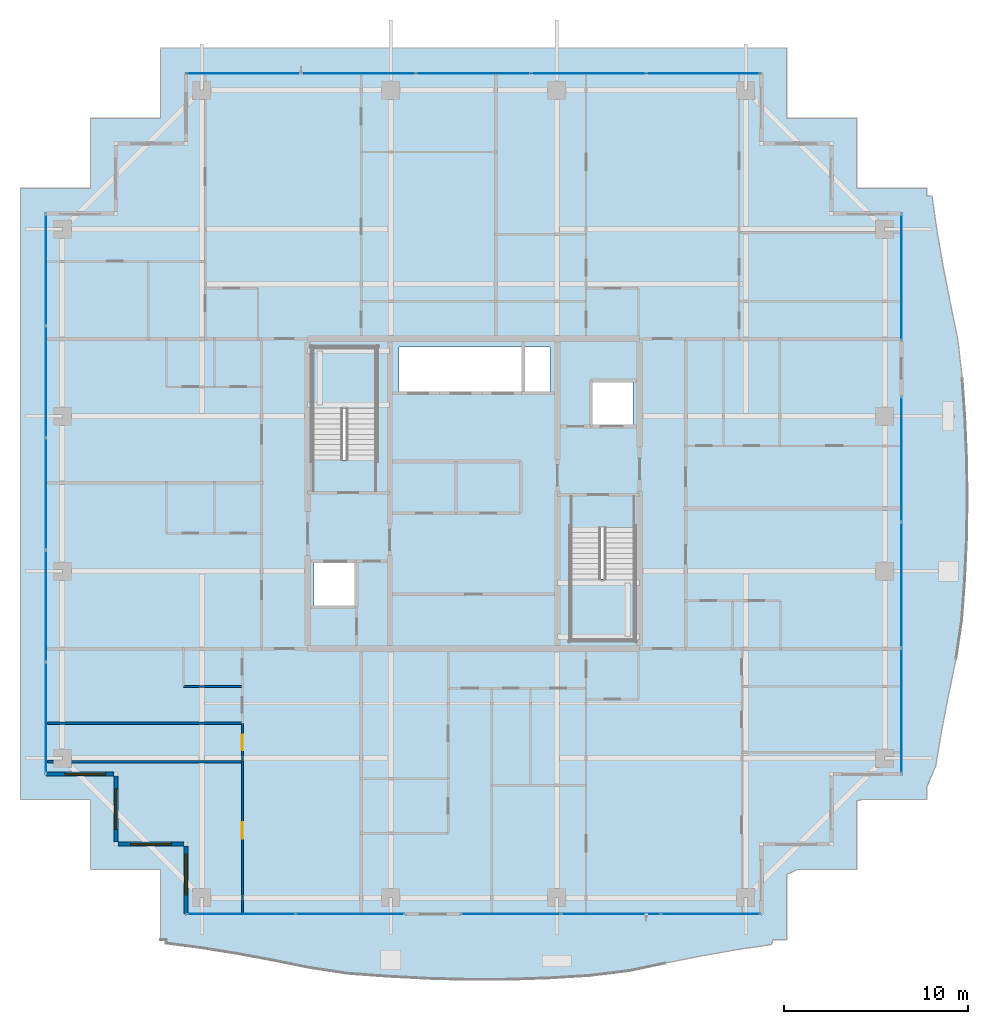
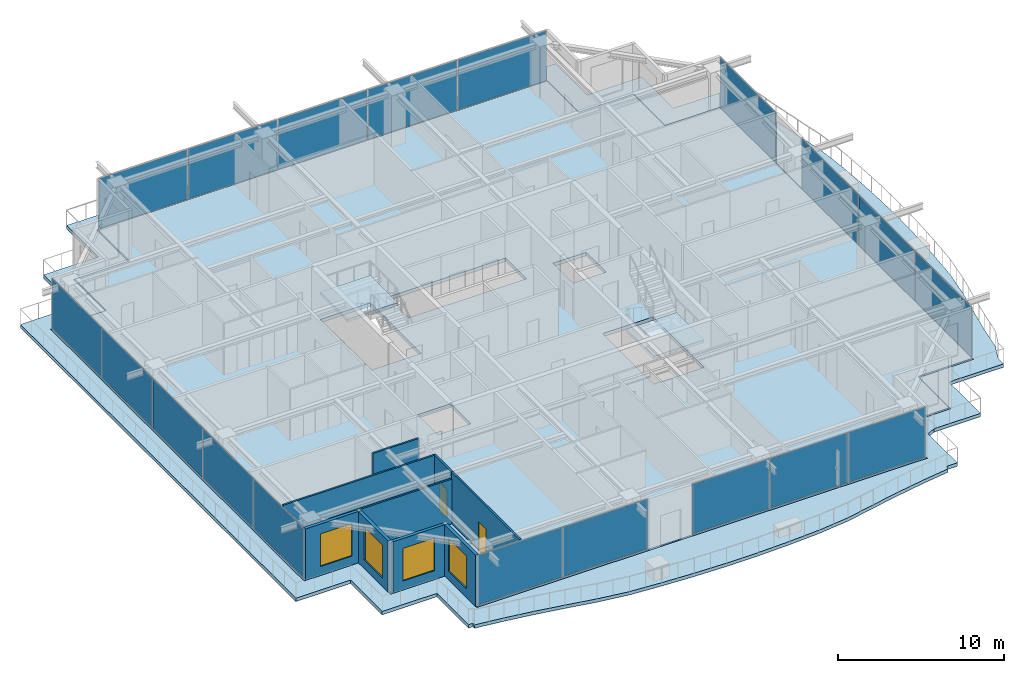
# One storey, part 30 of 42: 19 plates, 9 walls, 4 slabs, 4 windows, 2 doors, 6 openings, 8 elements without a shape of their own.
"""IFC4 building model written with IfcOpenShell, lengths in metres."""

from ifc_helpers import new_model, si_unit, direction, frame, frame_2d, origin, origin_2d, place, context, subcontext, project, spatial, polyline, rectangle, outline, extrude, source, transform, mapped, material, layer, layer_set, type_object, element, fill, aggregate, save


model = new_model("IFC4")

# Units and contexts
model_context = context("Model", 3, precision=1e-05, world=origin(), true_north=direction((0.0, 1.0)))
body_context = subcontext(model_context, "Body", "Model", "MODEL_VIEW")
ifc_project = project(units=[si_unit("LENGTHUNIT", "METRE"), si_unit("AREAUNIT", "SQUARE_METRE"), si_unit("VOLUMEUNIT", "CUBIC_METRE"), si_unit("PLANEANGLEUNIT", "RADIAN"), si_unit("MASSUNIT", "GRAM", prefix="KILO")], contexts=[model_context])

# Site, building, storey
site_placement = place(None, origin())
site = spatial("IfcSite", under=ifc_project, at=site_placement, CompositionType="ELEMENT")
building_placement = place(site_placement, origin())
building = spatial("IfcBuilding", under=site, at=building_placement, Name="Serunith Strait Residences", CompositionType="ELEMENT")
storey_placement = place(building_placement, frame((0.0, 0.0, 325.85009765625)))
storey = spatial("IfcBuildingStorey", under=building, at=storey_placement, Name="L81", CompositionType="ELEMENT", Elevation=325.85009765625)

# Slab
ifc_material_1 = material(Name="Concrete C50/60", Category="concrete")
ifc_layer_1 = layer(ifc_material_1, 0.239990234375, Name="Concrete C50/60")
ifc_layer_set_1 = layer_set([ifc_layer_1], Name="Concrete C50/60")
slab_type_1 = type_object("IfcSlabType", Name="SLB-BALC-240", PredefinedType="FLOOR", material=ifc_layer_set_1)
slab_1_placement = place(storey_placement, frame((0.0, 0.0, -0.2900390625)))
element("IfcSlab", 1, at=slab_1_placement, inside=storey, type_object=slab_type_1, Name="L81 Planted Vertical-Forest Balcony Slab", PredefinedType="FLOOR", context=body_context, shape_type="SweptSolid", body=[
    extrude(outline(polyline([(15.419921875, 1.02001953125), (15.419921875, 4.820068359375), (11.6201171875, 4.820068359375), (11.6201171875, 8.6201171875), (7.820068359375, 8.6201171875), (7.820068359375, 41.780029296875), (11.6201171875, 41.780029296875), (11.6201171875, 45.580078125), (15.407470703125, 45.580078125), (15.419921875, 45.584716796875), (15.419921875, 49.3798828125), (49.3798828125, 49.3798828125), (49.3798828125, 45.580078125), (53.179931640625, 45.580078125), (53.179931640625, 41.87939453125), (53.195068359375, 41.780029296875), (56.97998046875, 41.780029296875), (56.97998046875, 41.364990234375), (57.264892578125, 41.347900390625), (57.53662109375, 39.44775390625), (57.866455078125, 37.53076171875), (58.248046875, 35.580078125), (58.66064453125, 33.576416015625), (58.90234375, 31.4638671875), (59.051513671875, 29.29736328125), (59.147216796875, 27.102294921875), (59.177978515625, 24.89208984375), (59.138916015625, 22.68359375), (59.034423828125, 20.492919921875), (58.876708984375, 18.33349609375), (58.56591796875, 16.25244140625), (58.15380859375, 14.265625), (57.779541015625, 12.327880859375), (57.4609375, 10.419189453125), (56.97998046875, 9.30029296875), (56.97998046875, 8.6201171875), (53.46826171875, 8.6201171875), (53.179931640625, 8.547607421875), (53.179931640625, 4.820068359375), (49.952392578125, 4.820068359375), (49.3798828125, 4.548828125), (49.3798828125, 1.02001953125), (48.642333984375, 1.02001953125), (48.554931640625, 0.753173828125), (46.660400390625, 0.47509765625), (44.748779296875, 0.135986328125), (42.802001953125, -0.256103515625), (40.798828125, -0.677734375), (38.684326171875, -0.930419921875), (36.5087890625, -1.065185546875), (34.30615234375, -1.1396484375), (32.091796875, -1.146484375), (29.8828125, -1.087646484375), (27.693603515625, -0.971923828125), (25.53564453125, -0.8125), (23.45947265625, -0.49462890625), (21.472412109375, -0.09423828125), (19.532470703125, 0.26708984375), (17.620849609375, 0.573974609375), (15.721923828125, 0.82421875), (15.723388671875, 1.02001953125), (15.419921875, 1.02001953125)]), holes=[polyline([(48.054931640625, 2.344970703125), (48.054931640625, 6.14501953125), (51.85498046875, 6.14501953125), (51.85498046875, 9.945068359375), (55.655029296875, 9.945068359375), (55.655029296875, 40.455078125), (51.85498046875, 40.455078125), (51.85498046875, 44.2548828125), (48.054931640625, 44.2548828125), (48.054931640625, 48.054931640625), (16.7451171875, 48.054931640625), (16.7451171875, 44.2548828125), (12.945068359375, 44.2548828125), (12.945068359375, 40.455078125), (9.14501953125, 40.455078125), (9.14501953125, 9.945068359375), (12.945068359375, 9.945068359375), (12.945068359375, 6.14501953125), (16.7451171875, 6.14501953125), (16.7451171875, 2.344970703125), (48.054931640625, 2.344970703125)])]), origin(), (0.0, 0.0, 1.0), 0.239990234375),
])

# Stair, slab
stair_type_1 = type_object("IfcStairType", Name="STR-CORE-1", PredefinedType="HALF_TURN_STAIR", material=ifc_material_1)
stair_1_placement = place(storey_placement, origin())
stair_1 = element("IfcStair", 2, at=stair_1_placement, inside=storey, type_object=stair_type_1, Name="L81 Protected Escape Stair ST-1", PredefinedType="HALF_TURN_STAIR")
ifc_layer_2 = layer(ifc_material_1, 0.199951171875, Name="Concrete C50/60")
ifc_layer_set_2 = layer_set([ifc_layer_2], Name="Concrete C50/60")
slab_type_2 = type_object("IfcSlabType", Name="SLB-LAND-200", PredefinedType="LANDING", material=ifc_layer_set_2)
slab_2_placement = place(storey_placement, frame((0.0, 0.0, 1.824951171875)))
slab_2 = element("IfcSlab", 3, at=slab_2_placement, type_object=slab_type_2, Name="ST-1 landing 1", PredefinedType="LANDING", context=body_context, shape_type="SweptSolid", body=[
    extrude(outline(polyline([(27.14990234375, 29.830078125), (27.14990234375, 33.14990234375), (23.64990234375, 33.14990234375), (23.64990234375, 29.830078125), (27.14990234375, 29.830078125)])), origin(), (0.0, 0.0, 1.0), 0.199951171875),
])
aggregate(stair_1, [slab_2])

stair_type_2 = type_object("IfcStairType", Name="STR-CORE-2", PredefinedType="HALF_TURN_STAIR", material=ifc_material_1)
stair_2_placement = place(storey_placement, origin())
stair_2 = element("IfcStair", 4, at=stair_2_placement, inside=storey, type_object=stair_type_2, Name="L81 Protected Escape Stair ST-2", PredefinedType="HALF_TURN_STAIR")
slab_3_placement = place(storey_placement, frame((0.0, 0.0, 1.824951171875)))
slab_3 = element("IfcSlab", 5, at=slab_3_placement, type_object=slab_type_2, Name="ST-2 landing 1", PredefinedType="LANDING", context=body_context, shape_type="SweptSolid", body=[
    extrude(outline(polyline([(37.64990234375, 20.570068359375), (37.64990234375, 17.25), (41.14990234375, 17.25), (41.14990234375, 20.570068359375), (37.64990234375, 20.570068359375)])), origin(), (0.0, 0.0, 1.0), 0.199951171875),
])
aggregate(stair_2, [slab_3])

# Slab
ifc_material_2 = material(Name="Concrete C60/75", Category="concrete")
ifc_layer_3 = layer(ifc_material_2, 0.260009765625, Name="Concrete C60/75")
ifc_layer_set_3 = layer_set([ifc_layer_3], Name="Concrete C60/75")
slab_type_3 = type_object("IfcSlabType", Name="SLB-TWR-290-Z4", PredefinedType="FLOOR", material=ifc_layer_set_3)
slab_4_placement = place(storey_placement, frame((0.0, 0.0, -0.260009765625)))
element("IfcSlab", 6, at=slab_4_placement, inside=storey, type_object=slab_type_3, Name="L81 Structural Floor Plate", PredefinedType="FLOOR", context=body_context, shape_type="SweptSolid", body=[
    extrude(outline(polyline([(16.800048828125, 6.199951171875), (13.0, 6.199951171875), (13.0, 10.0), (9.199951171875, 10.0), (9.199951171875, 40.39990234375), (13.0, 40.39990234375), (13.0, 44.199951171875), (16.800048828125, 44.199951171875), (16.800048828125, 48.0), (48.0, 48.0), (48.0, 44.199951171875), (51.800048828125, 44.199951171875), (51.800048828125, 40.39990234375), (55.60009765625, 40.39990234375), (55.60009765625, 10.0), (51.800048828125, 10.0), (51.800048828125, 6.199951171875), (48.0, 6.199951171875), (48.0, 2.39990234375), (16.800048828125, 2.39990234375), (16.800048828125, 6.199951171875)]), holes=[polyline([(41.14990234375, 23.3701171875), (37.64990234375, 23.3701171875), (37.64990234375, 17.25), (41.14990234375, 17.25), (41.14990234375, 23.3701171875)]), polyline([(38.75, 31.25), (38.75, 28.85009765625), (41.050048828125, 28.85009765625), (41.050048828125, 31.25), (38.75, 31.25)]), polyline([(36.550048828125, 33.14990234375), (28.35009765625, 33.14990234375), (28.35009765625, 30.64990234375), (36.550048828125, 30.64990234375), (36.550048828125, 33.14990234375)]), polyline([(23.64990234375, 33.14990234375), (23.64990234375, 27.030029296875), (27.14990234375, 27.030029296875), (27.14990234375, 33.14990234375), (23.64990234375, 33.14990234375)]), polyline([(23.75, 21.550048828125), (23.75, 19.14990234375), (26.050048828125, 19.14990234375), (26.050048828125, 21.550048828125), (23.75, 21.550048828125)])]), origin(), (0.0, 0.0, 1.0), 0.260009765625),
])

# Curtain wall, plates
ifc_material_3 = material(Name="Brushed Stainless-Silver Aluminium", Category="aluminium")
ifc_layer_4 = layer(ifc_material_3, 0.199951171875, Name="Brushed Stainless-Silver Aluminium")
ifc_layer_set_4 = layer_set([ifc_layer_4], Name="Brushed Stainless-Silver Aluminium")
curtain_wall_type = type_object("IfcCurtainWallType", Name="CW-SYS5", PredefinedType="NOTDEFINED", material=ifc_layer_set_4)
curtain_wall_1_placement = place(storey_placement, origin())
curtain_wall_1 = element("IfcCurtainWall", 7, at=curtain_wall_1_placement, inside=storey, type_object=curtain_wall_type, Name="L81 N Unitised Fritted Curtain Wall", PredefinedType="NOTDEFINED")
ifc_material_4 = material(Name="Triple-Silver Low-E Operable Glazing 34mm", Category="glass")
ifc_layer_5 = layer(ifc_material_4, 0.033935546875, Name="Triple-Silver Low-E Operable Glazing 34mm")
ifc_layer_set_5 = layer_set([ifc_layer_5], Name="Triple-Silver Low-E Operable Glazing 34mm")
plate_type = type_object("IfcPlateType", Name="CW-SYS5-PNL", PredefinedType="CURTAIN_PANEL", material=ifc_layer_set_5)
shared_shape_1 = source(origin(), body_context, "Body", "SweptSolid", [
    extrude(rectangle(XDim=6.142578125, YDim=0.033935546875, at=origin_2d()), origin(), (0.0, 0.0, 1.0), 3.655029296875),
])
plate_1_placement = place(storey_placement, frame((44.86376953125, 48.0, 0.06005859375), z_axis=(0.0, 0.0, 1.0), x_axis=(-1.0, 0.0, 0.0)))
plate_1 = element("IfcPlate", 8, at=plate_1_placement, type_object=plate_type, Name="CW-5 panel 1.1", PredefinedType="CURTAIN_PANEL", context=body_context, shape_type="MappedRepresentation", body=[
    mapped(shared_shape_1, transform((0.0, 0.0, 0.0), scale=1.0)),
])
plate_2_placement = place(storey_placement, frame((19.936279296875, 48.0, 0.06005859375), z_axis=(0.0, 0.0, 1.0), x_axis=(-1.0, 0.0, 0.0)))
plate_2 = element("IfcPlate", 9, at=plate_2_placement, type_object=plate_type, Name="CW-5 panel 5.1", PredefinedType="CURTAIN_PANEL", context=body_context, shape_type="MappedRepresentation", body=[
    mapped(shared_shape_1, transform((0.0, 0.0, 0.0), scale=1.0)),
])
shared_shape_2 = source(origin(), body_context, "Body", "SweptSolid", [
    extrude(rectangle(XDim=6.175048828125, YDim=0.033935546875, at=origin_2d()), origin(), (0.0, 0.0, 1.0), 3.655029296875),
])
plate_3_placement = place(storey_placement, frame((38.639892578125, 48.0, 0.06005859375), z_axis=(0.0, 0.0, 1.0), x_axis=(-1.0, 0.0, 0.0)))
plate_3 = element("IfcPlate", 10, at=plate_3_placement, type_object=plate_type, Name="CW-5 panel 2.1", PredefinedType="CURTAIN_PANEL", context=body_context, shape_type="MappedRepresentation", body=[
    mapped(shared_shape_2, transform((0.0, 0.0, 0.0), scale=1.0)),
])
plate_4_placement = place(storey_placement, frame((32.39990234375, 48.0, 0.06005859375), z_axis=(0.0, 0.0, 1.0), x_axis=(-1.0, 0.0, 0.0)))
plate_4 = element("IfcPlate", 11, at=plate_4_placement, type_object=plate_type, Name="CW-5 panel 3.1", PredefinedType="CURTAIN_PANEL", context=body_context, shape_type="MappedRepresentation", body=[
    mapped(shared_shape_2, transform((0.0, 0.0, 0.0), scale=1.0)),
])
plate_5_placement = place(storey_placement, frame((26.159912109375, 48.0, 0.06005859375), z_axis=(0.0, 0.0, 1.0), x_axis=(-1.0, 0.0, 0.0)))
plate_5 = element("IfcPlate", 12, at=plate_5_placement, type_object=plate_type, Name="CW-5 panel 4.1", PredefinedType="CURTAIN_PANEL", context=body_context, shape_type="MappedRepresentation", body=[
    mapped(shared_shape_2, transform((0.0, 0.0, 0.0), scale=1.0)),
])
aggregate(curtain_wall_1, [plate_1, plate_3, plate_4, plate_5, plate_2])

curtain_wall_2_placement = place(storey_placement, origin())
curtain_wall_2 = element("IfcCurtainWall", 13, at=curtain_wall_2_placement, inside=storey, type_object=curtain_wall_type, Name="L81 W Unitised Fritted Curtain Wall", PredefinedType="NOTDEFINED")
shared_shape_3 = source(origin(), body_context, "Body", "SweptSolid", [
    extrude(rectangle(XDim=5.982421875, YDim=0.033935546875, at=origin_2d()), origin(), (0.0, 0.0, 1.0), 3.655029296875),
])
plate_6_placement = place(storey_placement, frame((9.199951171875, 37.34375, 0.06005859375), z_axis=(0.0, 0.0, 1.0), x_axis=(0.0, -1.0, 0.0)))
plate_6 = element("IfcPlate", 14, at=plate_6_placement, type_object=plate_type, Name="CW-5 panel 1.1", PredefinedType="CURTAIN_PANEL", context=body_context, shape_type="MappedRepresentation", body=[
    mapped(shared_shape_3, transform((0.0, 0.0, 0.0), scale=1.0)),
])
plate_7_placement = place(storey_placement, frame((9.199951171875, 13.05615234375, 0.06005859375), z_axis=(0.0, 0.0, 1.0), x_axis=(0.0, -1.0, 0.0)))
plate_7 = element("IfcPlate", 15, at=plate_7_placement, type_object=plate_type, Name="CW-5 panel 5.1", PredefinedType="CURTAIN_PANEL", context=body_context, shape_type="MappedRepresentation", body=[
    mapped(shared_shape_3, transform((0.0, 0.0, 0.0), scale=1.0)),
])
shared_shape_4 = source(origin(), body_context, "Body", "SweptSolid", [
    extrude(rectangle(XDim=6.014892578125, YDim=0.033935546875, at=origin_2d()), origin(), (0.0, 0.0, 1.0), 3.655029296875),
])
plate_8_placement = place(storey_placement, frame((9.199951171875, 31.280029296875, 0.06005859375), z_axis=(0.0, 0.0, 1.0), x_axis=(0.0, -1.0, 0.0)))
plate_8 = element("IfcPlate", 16, at=plate_8_placement, type_object=plate_type, Name="CW-5 panel 2.1", PredefinedType="CURTAIN_PANEL", context=body_context, shape_type="MappedRepresentation", body=[
    mapped(shared_shape_4, transform((0.0, 0.0, 0.0), scale=1.0)),
])
plate_9_placement = place(storey_placement, frame((9.199951171875, 25.199951171875, 0.06005859375), z_axis=(0.0, 0.0, 1.0), x_axis=(0.0, -1.0, 0.0)))
plate_9 = element("IfcPlate", 17, at=plate_9_placement, type_object=plate_type, Name="CW-5 panel 3.1", PredefinedType="CURTAIN_PANEL", context=body_context, shape_type="MappedRepresentation", body=[
    mapped(shared_shape_4, transform((0.0, 0.0, 0.0), scale=1.0)),
])
plate_10_placement = place(storey_placement, frame((9.199951171875, 19.1201171875, 0.06005859375), z_axis=(0.0, 0.0, 1.0), x_axis=(0.0, -1.0, 0.0)))
plate_10 = element("IfcPlate", 18, at=plate_10_placement, type_object=plate_type, Name="CW-5 panel 4.1", PredefinedType="CURTAIN_PANEL", context=body_context, shape_type="MappedRepresentation", body=[
    mapped(shared_shape_4, transform((0.0, 0.0, 0.0), scale=1.0)),
])
aggregate(curtain_wall_2, [plate_6, plate_8, plate_9, plate_10, plate_7])

curtain_wall_3_placement = place(storey_placement, origin())
curtain_wall_3 = element("IfcCurtainWall", 19, at=curtain_wall_3_placement, inside=storey, type_object=curtain_wall_type, Name="L81 S Unitised Fritted Curtain Wall", PredefinedType="NOTDEFINED")
shared_shape_5 = source(origin(), body_context, "Body", "SweptSolid", [
    extrude(rectangle(XDim=5.8525390625, YDim=0.033935546875, at=origin_2d()), origin(), (0.0, 0.0, 1.0), 3.655029296875),
])
plate_11_placement = place(storey_placement, frame((19.791259765625, 2.39990234375, 0.06005859375), z_axis=(0.0, 0.0, 1.0), x_axis=(1.0, 0.0, 0.0)))
plate_11 = element("IfcPlate", 20, at=plate_11_placement, type_object=plate_type, Name="CW-5 panel 1.1", PredefinedType="CURTAIN_PANEL", context=body_context, shape_type="MappedRepresentation", body=[
    mapped(shared_shape_5, transform((0.0, 0.0, 0.0), scale=1.0)),
])
plate_12_placement = place(storey_placement, frame((25.708740234375, 2.39990234375, 0.06005859375), z_axis=(0.0, 0.0, 1.0), x_axis=(1.0, 0.0, 0.0)))
plate_12 = element("IfcPlate", 21, at=plate_12_placement, type_object=plate_type, Name="CW-5 panel 2.1", PredefinedType="CURTAIN_PANEL", context=body_context, shape_type="MappedRepresentation", body=[
    mapped(shared_shape_5, transform((0.0, 0.0, 0.0), scale=1.0)),
])
aggregate(curtain_wall_3, [plate_11, plate_12])

curtain_wall_4_placement = place(storey_placement, origin())
curtain_wall_4 = element("IfcCurtainWall", 22, at=curtain_wall_4_placement, inside=storey, type_object=curtain_wall_type, Name="L81 S Unitised Fritted Curtain Wall", PredefinedType="NOTDEFINED")
shared_shape_6 = source(origin(), body_context, "Body", "SweptSolid", [
    extrude(rectangle(XDim=5.3359375, YDim=0.033935546875, at=origin_2d()), origin(), (0.0, 0.0, 1.0), 3.655029296875),
])
plate_13_placement = place(storey_placement, frame((34.432861328125, 2.39990234375, 0.06005859375), z_axis=(0.0, 0.0, 1.0), x_axis=(1.0, 0.0, 0.0)))
plate_13 = element("IfcPlate", 23, at=plate_13_placement, type_object=plate_type, Name="CW-5 panel 1.1", PredefinedType="CURTAIN_PANEL", context=body_context, shape_type="MappedRepresentation", body=[
    mapped(shared_shape_6, transform((0.0, 0.0, 0.0), scale=1.0)),
])
plate_14_placement = place(storey_placement, frame((45.26708984375, 2.39990234375, 0.06005859375), z_axis=(0.0, 0.0, 1.0), x_axis=(1.0, 0.0, 0.0)))
plate_14 = element("IfcPlate", 24, at=plate_14_placement, type_object=plate_type, Name="CW-5 panel 3.1", PredefinedType="CURTAIN_PANEL", context=body_context, shape_type="MappedRepresentation", body=[
    mapped(shared_shape_6, transform((0.0, 0.0, 0.0), scale=1.0)),
])
shared_shape_7 = source(origin(), body_context, "Body", "SweptSolid", [
    extrude(rectangle(XDim=5.368408203125, YDim=0.033935546875, at=origin_2d()), origin(), (0.0, 0.0, 1.0), 3.655029296875),
])
plate_15_placement = place(storey_placement, frame((39.85009765625, 2.39990234375, 0.06005859375), z_axis=(0.0, 0.0, 1.0), x_axis=(1.0, 0.0, 0.0)))
plate_15 = element("IfcPlate", 25, at=plate_15_placement, type_object=plate_type, Name="CW-5 panel 2.1", PredefinedType="CURTAIN_PANEL", context=body_context, shape_type="MappedRepresentation", body=[
    mapped(shared_shape_7, transform((0.0, 0.0, 0.0), scale=1.0)),
])
aggregate(curtain_wall_4, [plate_13, plate_15, plate_14])

curtain_wall_5_placement = place(storey_placement, origin())
curtain_wall_5 = element("IfcCurtainWall", 26, at=curtain_wall_5_placement, inside=storey, type_object=curtain_wall_type, Name="L81 E Unitised Fritted Curtain Wall", PredefinedType="NOTDEFINED")
shared_shape_8 = source(origin(), body_context, "Body", "SweptSolid", [
    extrude(rectangle(XDim=6.73583984375, YDim=0.033935546875, at=origin_2d()), origin(), (0.0, 0.0, 1.0), 3.655029296875),
])
plate_16_placement = place(storey_placement, frame((55.60009765625, 13.432861328125, 0.06005859375), z_axis=(0.0, 0.0, 1.0), x_axis=(0.0, 1.0, 0.0)))
plate_16 = element("IfcPlate", 27, at=plate_16_placement, type_object=plate_type, Name="CW-5 panel 1.1", PredefinedType="CURTAIN_PANEL", context=body_context, shape_type="MappedRepresentation", body=[
    mapped(shared_shape_8, transform((0.0, 0.0, 0.0), scale=1.0)),
])
plate_17_placement = place(storey_placement, frame((55.60009765625, 27.067138671875, 0.06005859375), z_axis=(0.0, 0.0, 1.0), x_axis=(0.0, 1.0, 0.0)))
plate_17 = element("IfcPlate", 28, at=plate_17_placement, type_object=plate_type, Name="CW-5 panel 3.1", PredefinedType="CURTAIN_PANEL", context=body_context, shape_type="MappedRepresentation", body=[
    mapped(shared_shape_8, transform((0.0, 0.0, 0.0), scale=1.0)),
])
shared_shape_9 = source(origin(), body_context, "Body", "SweptSolid", [
    extrude(rectangle(XDim=6.768310546875, YDim=0.033935546875, at=origin_2d()), origin(), (0.0, 0.0, 1.0), 3.655029296875),
])
plate_18_placement = place(storey_placement, frame((55.60009765625, 20.25, 0.06005859375), z_axis=(0.0, 0.0, 1.0), x_axis=(0.0, 1.0, 0.0)))
plate_18 = element("IfcPlate", 29, at=plate_18_placement, type_object=plate_type, Name="CW-5 panel 2.1", PredefinedType="CURTAIN_PANEL", context=body_context, shape_type="MappedRepresentation", body=[
    mapped(shared_shape_9, transform((0.0, 0.0, 0.0), scale=1.0)),
])
aggregate(curtain_wall_5, [plate_16, plate_18, plate_17])

# Curtain wall, plate
curtain_wall_6_placement = place(storey_placement, origin())
curtain_wall_6 = element("IfcCurtainWall", 30, at=curtain_wall_6_placement, inside=storey, type_object=curtain_wall_type, Name="L81 E Unitised Fritted Curtain Wall", PredefinedType="NOTDEFINED")
shared_shape_10 = source(origin(), body_context, "Body", "SweptSolid", [
    extrude(rectangle(XDim=6.77001953125, YDim=0.033935546875, at=origin_2d()), origin(), (0.0, 0.0, 1.0), 3.655029296875),
])
plate_19_placement = place(storey_placement, frame((55.60009765625, 36.949951171875, 0.06005859375), z_axis=(0.0, 0.0, 1.0), x_axis=(0.0, 1.0, 0.0)))
plate_19 = element("IfcPlate", 31, at=plate_19_placement, type_object=plate_type, Name="CW-5 panel 1.1", PredefinedType="CURTAIN_PANEL", context=body_context, shape_type="MappedRepresentation", body=[
    mapped(shared_shape_10, transform((0.0, 0.0, 0.0), scale=1.0)),
])
aggregate(curtain_wall_6, [plate_19])

# Wall, opening, window
ifc_material_5 = material(Name="Pale-Champagne Aluminium Insulated Panel", Category="aluminium")
ifc_layer_6 = layer(ifc_material_5, 0.219970703125, Name="Pale-Champagne Aluminium Insulated Panel")
ifc_layer_set_6 = layer_set([ifc_layer_6], Name="Pale-Champagne Aluminium Insulated Panel")
wall_type_1 = type_object("IfcWallType", Name="EW-ALUM-220", PredefinedType="ELEMENTEDWALL", material=ifc_layer_set_6)
wall_1_placement = place(storey_placement, frame((9.199951171875, 10.0, 0.0), z_axis=(0.0, 0.0, 1.0), x_axis=(1.0, 0.0, 0.0)))
wall_1 = element("IfcWall", 32, at=wall_1_placement, inside=storey, type_object=wall_type_1, Name="L81 Girih Serrated Corner Wall 17", PredefinedType="ELEMENTEDWALL", context=body_context, shape_type="SweptSolid", body=[
    extrude(rectangle(XDim=3.68994140625, YDim=0.219970703125, at=frame_2d((1.844970703125, 0.0))), origin(), (0.0, 0.0, 1.0), 3.77490234375),
])
opening_1_placement = place(wall_1_placement, frame((1.04296875, 0.0, 0.64990234375)))
opening_1 = element("IfcOpeningElement", 33, at=opening_1_placement, cuts=wall_1, Name="Opening W-06", PredefinedType="OPENING", context=body_context, shape_type="SweptSolid", body=[
    extrude(rectangle(XDim=2.199951171875, YDim=2.39990234375, at=frame_2d((1.10009765625, 1.199951171875))), frame((0.0, 0.1201171875, 0.0), z_axis=(0.0, -1.0, 0.0), x_axis=(1.0, 0.0, 0.0)), (0.0, 0.0, 1.0), 0.239990234375),
])
ifc_material_6 = material(Name="Crown Penthouse Low-E Operable Window Glass", Category="glass")
window_type = type_object("IfcWindowType", Name="WIN-C6", PartitioningType="TRIPLE_PANEL_VERTICAL", PredefinedType="WINDOW", material=ifc_material_6)
shared_shape_11 = source(origin(), body_context, "Body", "SweptSolid", [
    extrude(rectangle(XDim=2.199951171875, YDim=2.39990234375, at=frame_2d((1.10009765625, 1.199951171875))), frame((0.0, 0.030029296875, 0.0), z_axis=(0.0, -1.0, 0.0), x_axis=(1.0, 0.0, 0.0)), (0.0, 0.0, 1.0), 0.06005859375),
])
window_1_placement = place(opening_1_placement, origin())
window_1 = element("IfcWindow", 34, at=window_1_placement, inside=storey, type_object=window_type, Name="L81 Corner Operable Fritted Window 17", OverallHeight=2.39990234375, OverallWidth=2.199951171875, PartitioningType="SINGLE_PANEL", PredefinedType="WINDOW", context=body_context, shape_type="MappedRepresentation", body=[
    mapped(shared_shape_11, transform((0.0, 0.0, 0.0), scale=1.0)),
])
fill(opening_1, window_1)

wall_2_placement = place(storey_placement, frame((13.0, 9.889892578125, 0.0), z_axis=(0.0, 0.0, 1.0), x_axis=(0.0, -1.0, 0.0)))
wall_2 = element("IfcWall", 35, at=wall_2_placement, inside=storey, type_object=wall_type_1, Name="L81 Girih Serrated Corner Wall 18", PredefinedType="ELEMENTEDWALL", context=body_context, shape_type="SweptSolid", body=[
    extrude(rectangle(XDim=3.579833984375, YDim=0.219970703125, at=frame_2d((1.7900390625, 0.0))), origin(), (0.0, 0.0, 1.0), 3.77490234375),
])
opening_2_placement = place(wall_2_placement, frame((0.68994140625, 0.0, 0.64990234375)))
opening_2 = element("IfcOpeningElement", 36, at=opening_2_placement, cuts=wall_2, Name="Opening W-06", PredefinedType="OPENING", context=body_context, shape_type="SweptSolid", body=[
    extrude(rectangle(XDim=2.199951171875, YDim=2.39990234375, at=frame_2d((1.10009765625, 1.199951171875))), frame((0.0, 0.1201171875, 0.0), z_axis=(0.0, -1.0, 0.0), x_axis=(1.0, 0.0, 0.0)), (0.0, 0.0, 1.0), 0.239990234375),
])
window_2_placement = place(opening_2_placement, origin())
window_2 = element("IfcWindow", 37, at=window_2_placement, inside=storey, type_object=window_type, Name="L81 Corner Operable Fritted Window 18", OverallHeight=2.39990234375, OverallWidth=2.199951171875, PartitioningType="SINGLE_PANEL", PredefinedType="WINDOW", context=body_context, shape_type="MappedRepresentation", body=[
    mapped(shared_shape_11, transform((0.0, 0.0, 0.0), scale=1.0)),
])
fill(opening_2, window_2)

wall_3_placement = place(storey_placement, frame((13.110107421875, 6.199951171875, 0.0), z_axis=(0.0, 0.0, 1.0), x_axis=(1.0, 0.0, 0.0)))
wall_3 = element("IfcWall", 38, at=wall_3_placement, inside=storey, type_object=wall_type_1, Name="L81 Girih Serrated Corner Wall 19", PredefinedType="ELEMENTEDWALL", context=body_context, shape_type="SweptSolid", body=[
    extrude(rectangle(XDim=3.579833984375, YDim=0.219970703125, at=frame_2d((1.7900390625, 0.0))), origin(), (0.0, 0.0, 1.0), 3.77490234375),
])
opening_3_placement = place(wall_3_placement, frame((0.68994140625, 0.0, 0.64990234375)))
opening_3 = element("IfcOpeningElement", 39, at=opening_3_placement, cuts=wall_3, Name="Opening W-06", PredefinedType="OPENING", context=body_context, shape_type="SweptSolid", body=[
    extrude(rectangle(XDim=2.199951171875, YDim=2.39990234375, at=frame_2d((1.10009765625, 1.199951171875))), frame((0.0, 0.1201171875, 0.0), z_axis=(0.0, -1.0, 0.0), x_axis=(1.0, 0.0, 0.0)), (0.0, 0.0, 1.0), 0.239990234375),
])
window_3_placement = place(opening_3_placement, origin())
window_3 = element("IfcWindow", 40, at=window_3_placement, inside=storey, type_object=window_type, Name="L81 Corner Operable Fritted Window 19", OverallHeight=2.39990234375, OverallWidth=2.199951171875, PartitioningType="SINGLE_PANEL", PredefinedType="WINDOW", context=body_context, shape_type="MappedRepresentation", body=[
    mapped(shared_shape_11, transform((0.0, 0.0, 0.0), scale=1.0)),
])
fill(opening_3, window_3)

wall_4_placement = place(storey_placement, frame((16.800048828125, 6.090087890625, 0.0), z_axis=(0.0, 0.0, 1.0), x_axis=(0.0, -1.0, 0.0)))
wall_4 = element("IfcWall", 41, at=wall_4_placement, inside=storey, type_object=wall_type_1, Name="L81 Girih Serrated Corner Wall 20", PredefinedType="ELEMENTEDWALL", context=body_context, shape_type="SweptSolid", body=[
    extrude(rectangle(XDim=3.690185546875, YDim=0.219970703125, at=frame_2d((1.84521484375, 0.0))), origin(), (0.0, 0.0, 1.0), 3.77490234375),
])
opening_4_placement = place(wall_4_placement, frame((0.447021484375, 0.0, 0.64990234375)))
opening_4 = element("IfcOpeningElement", 42, at=opening_4_placement, cuts=wall_4, Name="Opening W-06", PredefinedType="OPENING", context=body_context, shape_type="SweptSolid", body=[
    extrude(rectangle(XDim=2.199951171875, YDim=2.39990234375, at=frame_2d((1.10009765625, 1.199951171875))), frame((0.0, 0.1201171875, 0.0), z_axis=(0.0, -1.0, 0.0), x_axis=(1.0, 0.0, 0.0)), (0.0, 0.0, 1.0), 0.239990234375),
])
window_4_placement = place(opening_4_placement, origin())
window_4 = element("IfcWindow", 43, at=window_4_placement, inside=storey, type_object=window_type, Name="L81 Corner Operable Fritted Window 20", OverallHeight=2.39990234375, OverallWidth=2.199951171875, PartitioningType="SINGLE_PANEL", PredefinedType="WINDOW", context=body_context, shape_type="MappedRepresentation", body=[
    mapped(shared_shape_11, transform((0.0, 0.0, 0.0), scale=1.0)),
])
fill(opening_4, window_4)

# Wall, opening, door
ifc_material_7 = material(Name="Lightweight steel-stud gypsum partition", Category="steel")
ifc_layer_7 = layer(ifc_material_7, 0.1201171875, Name="Lightweight steel-stud gypsum partition")
ifc_layer_set_7 = layer_set([ifc_layer_7], Name="Lightweight steel-stud gypsum partition")
wall_type_2 = type_object("IfcWallType", Name="IW-PART-120", PredefinedType="PARTITIONING", material=ifc_layer_set_7)
wall_5_placement = place(storey_placement, frame((19.860107421875, 2.4951171875, 0.0), z_axis=(0.0, 0.0, 1.0), x_axis=(0.0, 1.0, 0.0)))
wall_5 = element("IfcWall", 44, at=wall_5_placement, inside=storey, type_object=wall_type_2, Name="L81 Partition Wall 032", PredefinedType="PARTITIONING", context=body_context, shape_type="SweptSolid", body=[
    extrude(rectangle(XDim=8.177001953125, YDim=0.1201171875, at=frame_2d((4.08837890625, 0.0))), origin(), (0.0, 0.0, 1.0), 3.789794921875),
])
opening_5_placement = place(wall_5_placement, frame((4.001953125, 0.0, 0.0)))
opening_5 = element("IfcOpeningElement", 45, at=opening_5_placement, cuts=wall_5, Name="Opening D-RM900", PredefinedType="OPENING", context=body_context, shape_type="SweptSolid", body=[
    extrude(rectangle(XDim=0.89990234375, YDim=2.10009765625, at=frame_2d((0.449951171875, 1.050048828125))), frame((0.0, 0.070068359375, 0.0), z_axis=(0.0, -1.0, 0.0), x_axis=(1.0, 0.0, 0.0)), (0.0, 0.0, 1.0), 0.14013671875),
])
ifc_material_8 = material(Name="Engineered timber flush bedroom door", Category="wood")
door_type_1 = type_object("IfcDoorType", Name="ID-ROOM-900", OperationType="NOTDEFINED", PredefinedType="DOOR", material=ifc_material_8)
shared_shape_12 = source(origin(), body_context, "Body", "SweptSolid", [
    extrude(rectangle(XDim=0.89990234375, YDim=2.10009765625, at=frame_2d((0.449951171875, 1.050048828125))), frame((0.0, 0.02490234375, 0.0), z_axis=(0.0, -1.0, 0.0), x_axis=(1.0, 0.0, 0.0)), (0.0, 0.0, 1.0), 0.050048828125),
])
door_1_placement = place(opening_5_placement, origin())
door_1 = element("IfcDoor", 46, at=door_1_placement, inside=storey, type_object=door_type_1, Name="L81 Master Bedroom 1 8101 Door", OperationType="SINGLE_SWING_LEFT", OverallHeight=2.10009765625, OverallWidth=0.89990234375, PredefinedType="DOOR", context=body_context, shape_type="MappedRepresentation", body=[
    mapped(shared_shape_12, transform((0.0, 0.0, 0.0), scale=1.0)),
])
fill(opening_5, door_1)

# Walls
wall_6_placement = place(storey_placement, frame((9.294921875, 10.672119140625, 0.0), z_axis=(0.0, 0.0, 1.0), x_axis=(1.0, 0.0, 0.0)))
element("IfcWall", 47, at=wall_6_placement, inside=storey, type_object=wall_type_2, Name="L81 Partition Wall 033", PredefinedType="PARTITIONING", context=body_context, shape_type="SweptSolid", body=[
    extrude(rectangle(XDim=10.565185546875, YDim=0.1201171875, at=frame_2d((5.28271484375, 0.0))), origin(), (0.0, 0.0, 1.0), 3.2919921875),
])
wall_7_placement = place(storey_placement, frame((9.294921875, 12.75, 0.0), z_axis=(0.0, 0.0, 1.0), x_axis=(1.0, 0.0, 0.0)))
element("IfcWall", 48, at=wall_7_placement, inside=storey, type_object=wall_type_2, Name="L81 Partition Wall 034", PredefinedType="PARTITIONING", context=body_context, shape_type="SweptSolid", body=[
    extrude(rectangle(XDim=10.565185546875, YDim=0.1201171875, at=frame_2d((5.28271484375, 0.0))), origin(), (0.0, 0.0, 1.0), 3.789794921875),
])
wall_8_placement = place(storey_placement, frame((16.659912109375, 14.75, 0.0), z_axis=(0.0, 0.0, 1.0), x_axis=(1.0, 0.0, 0.0)))
element("IfcWall", 49, at=wall_8_placement, inside=storey, type_object=wall_type_2, Name="L81 Partition Wall 035", PredefinedType="PARTITIONING", context=body_context, shape_type="SweptSolid", body=[
    extrude(rectangle(XDim=3.2001953125, YDim=0.1201171875, at=frame_2d((1.60009765625, 0.0))), origin(), (0.0, 0.0, 1.0), 3.789794921875),
])

# Wall, opening, door
wall_9_placement = place(storey_placement, frame((19.860107421875, 10.674072265625, 0.0), z_axis=(0.0, 0.0, 1.0), x_axis=(0.0, 1.0, 0.0)))
wall_9 = element("IfcWall", 50, at=wall_9_placement, inside=storey, type_object=wall_type_2, Name="L81 Partition Wall 037", PredefinedType="PARTITIONING", context=body_context, shape_type="SweptSolid", body=[
    extrude(rectangle(XDim=2.075927734375, YDim=0.1201171875, at=frame_2d((1.0380859375, 0.0))), origin(), (0.0, 0.0, 1.0), 3.789794921875),
])
opening_6_placement = place(wall_9_placement, frame((0.613037109375, 0.0, 0.0)))
opening_6 = element("IfcOpeningElement", 51, at=opening_6_placement, cuts=wall_9, Name="Opening D-RM850", PredefinedType="OPENING", context=body_context, shape_type="SweptSolid", body=[
    extrude(rectangle(XDim=0.85009765625, YDim=2.10009765625, at=frame_2d((0.425048828125, 1.050048828125))), frame((0.0, 0.070068359375, 0.0), z_axis=(0.0, -1.0, 0.0), x_axis=(1.0, 0.0, 0.0)), (0.0, 0.0, 1.0), 0.14013671875),
])
ifc_material_9 = material(Name="Engineered timber flush study and kitchen door", Category="wood")
door_type_2 = type_object("IfcDoorType", Name="ID-ROOM-850", OperationType="NOTDEFINED", PredefinedType="DOOR", material=ifc_material_9)
shared_shape_13 = source(origin(), body_context, "Body", "SweptSolid", [
    extrude(rectangle(XDim=0.85009765625, YDim=2.10009765625, at=frame_2d((0.425048828125, 1.050048828125))), frame((0.0, 0.02490234375, 0.0), z_axis=(0.0, -1.0, 0.0), x_axis=(1.0, 0.0, 0.0)), (0.0, 0.0, 1.0), 0.050048828125),
])
door_2_placement = place(opening_6_placement, origin())
door_2 = element("IfcDoor", 52, at=door_2_placement, inside=storey, type_object=door_type_2, Name="L81 Dining 8101 Door", OperationType="SINGLE_SWING_RIGHT", OverallHeight=2.10009765625, OverallWidth=0.85009765625, PredefinedType="DOOR", context=body_context, shape_type="MappedRepresentation", body=[
    mapped(shared_shape_13, transform((0.0, 0.0, 0.0), scale=1.0)),
])
fill(opening_6, door_2)

save(model, "model.ifc")
